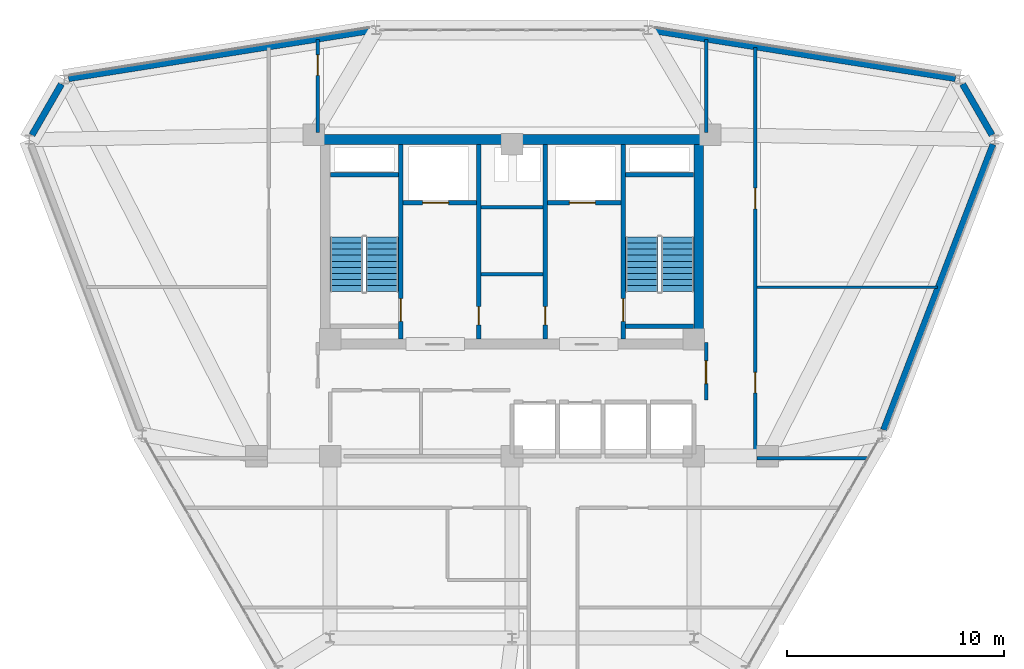
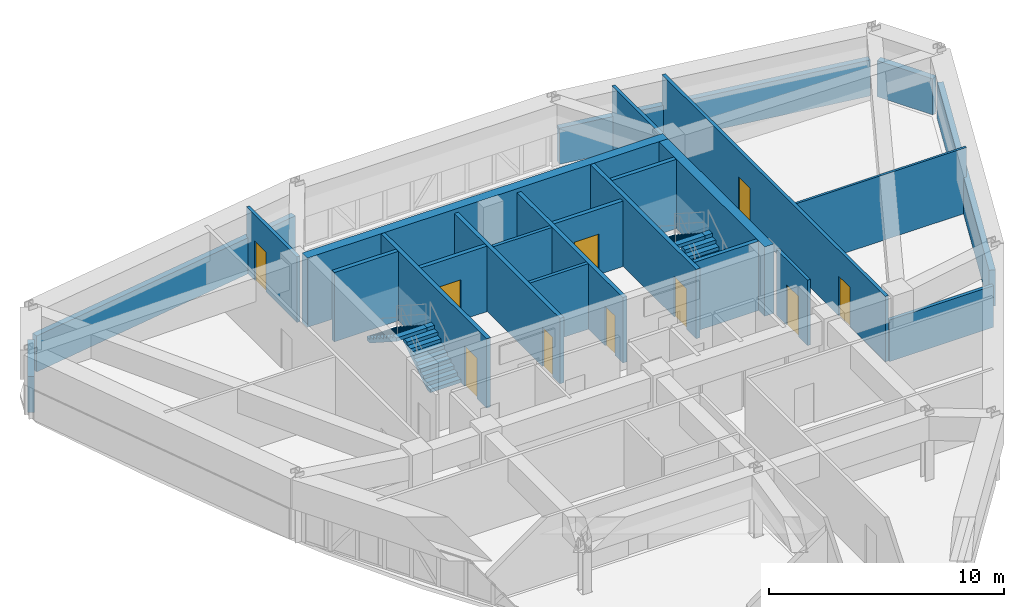
# One storey, part 11 of 13: 24 walls, 10 doors, 4 stair flights, 10 openings, 2 elements without a shape of their own.
"""IFC4 building model written with IfcOpenShell, lengths in metres."""

from ifc_helpers import new_model, si_unit, derived_unit, direction, frame, frame_2d, origin, place, context, subcontext, project, spatial, polyline, rectangle, outline, extrude, material, layer, layer_set, type_object, element, fill, aggregate, save


model = new_model("IFC4")

# Units and contexts
model_context = context("Model", 3, precision=1e-05, world=origin(), true_north=direction((0.0, 1.0)))
body_context = subcontext(model_context, "Body", "Model", "MODEL_VIEW")
ifc_project = project(units=[si_unit("LENGTHUNIT", "METRE"), si_unit("AREAUNIT", "SQUARE_METRE"), si_unit("VOLUMEUNIT", "CUBIC_METRE"), si_unit("PLANEANGLEUNIT", "RADIAN"), si_unit("MASSUNIT", "GRAM", prefix="KILO"), derived_unit("THERMALTRANSMITTANCEUNIT", [(si_unit("POWERUNIT", "WATT"), 1), (si_unit("LENGTHUNIT", "METRE"), -2), (si_unit("THERMODYNAMICTEMPERATUREUNIT", "KELVIN"), -1)])], contexts=[model_context])

# Site, building, storey
site_placement = place(None, origin())
site = spatial("IfcSite", under=ifc_project, at=site_placement, CompositionType="ELEMENT")
building_placement = place(site_placement, origin())
building = spatial("IfcBuilding", under=site, at=building_placement, Name="Korsvarv Bourse and Concert Hall", CompositionType="ELEMENT")
storey_placement = place(building_placement, frame((0.0, 0.0, 179.39990234375)))
storey = spatial("IfcBuildingStorey", under=building, at=storey_placement, Name="L46", CompositionType="ELEMENT", Elevation=179.39990234375)

# Wall, opening, door
ifc_material_1 = material(Name="Concrete C50/60", Category="concrete")
ifc_layer_1 = layer(ifc_material_1, 0.3798828125)
ifc_layer_set_1 = layer_set([ifc_layer_1], Name="Concrete C50/60")
wall_type_1 = type_object("IfcWallType", Name="WL-CORE-380", PredefinedType="SHEAR", material=ifc_layer_set_1)
wall_1_placement = place(storey_placement, frame((30.860107421875, 37.81005859375, 0.0), z_axis=(0.0, 0.0, 1.0), x_axis=(0.0, 1.0, 0.0)))
wall_1 = element("IfcWall", 1, at=wall_1_placement, inside=storey, type_object=wall_type_1, Name="L46 stair shaft structural wall W-L46-ST1-E", PredefinedType="SHEAR", context=body_context, shape_type="SweptSolid", body=[
    extrude(rectangle(XDim=8.97998046875, YDim=0.199951171875, at=frame_2d((4.489990234375, 0.0))), origin(), (0.0, 0.0, 1.0), 3.60009765625),
])
opening_1_placement = place(wall_1_placement, frame((0.820068359375, 0.0, 0.0)))
opening_1 = element("IfcOpeningElement", 2, at=opening_1_placement, cuts=wall_1, Name="Opening D-01", PredefinedType="OPENING", context=body_context, shape_type="SweptSolid", body=[
    extrude(rectangle(XDim=1.050048828125, YDim=2.10009765625, at=frame_2d((0.52490234375, 1.050048828125))), frame((0.0, 0.10986328125, 0.0), z_axis=(0.0, -1.0, 0.0), x_axis=(1.0, 0.0, 0.0)), (0.0, 0.0, 1.0), 0.219970703125),
])
ifc_material_2 = material(Name="Steel S355 fire door", Category="steel")
door_type_1 = type_object("IfcDoorType", Name="DR-FD60", OperationType="NOTDEFINED", PredefinedType="DOOR", material=ifc_material_2)
door_1_placement = place(opening_1_placement, origin())
door_1 = element("IfcDoor", 3, at=door_1_placement, inside=storey, type_object=door_type_1, Name="L46 interior door DR-L46-ST1", OperationType="SINGLE_SWING_RIGHT", OverallHeight=2.10009765625, OverallWidth=1.050048828125, PredefinedType="DOOR", context=body_context, shape_type="SweptSolid", body=[
    extrude(rectangle(XDim=1.050048828125, YDim=2.10009765625, at=frame_2d((0.52490234375, 1.050048828125))), frame((0.0, 0.02490234375, 0.0), z_axis=(0.0, -1.0, 0.0), x_axis=(1.0, 0.0, 0.0)), (0.0, 0.0, 1.0), 0.050048828125),
])
fill(opening_1, door_1)

# Wall
wall_2_placement = place(storey_placement, frame((27.610107421875, 45.39990234375, 0.0), z_axis=(0.0, 0.0, 1.0), x_axis=(1.0, 0.0, 0.0)))
element("IfcWall", 4, at=wall_2_placement, inside=storey, type_object=wall_type_1, Name="L46 stair shaft structural wall W-L46-ST1-N", PredefinedType="SHEAR", context=body_context, shape_type="SweptSolid", body=[
    extrude(rectangle(XDim=3.139892578125, YDim=0.199951171875, at=frame_2d((1.56982421875, 0.0))), origin(), (0.0, 0.0, 1.0), 3.60009765625),
])

# Wall, opening, door
wall_3_placement = place(storey_placement, frame((41.139892578125, 37.81005859375, 0.0), z_axis=(0.0, 0.0, 1.0), x_axis=(0.0, 1.0, 0.0)))
wall_3 = element("IfcWall", 5, at=wall_3_placement, inside=storey, type_object=wall_type_1, Name="L46 stair shaft structural wall W-L46-ST2-W", PredefinedType="SHEAR", context=body_context, shape_type="SweptSolid", body=[
    extrude(rectangle(XDim=8.97998046875, YDim=0.199951171875, at=frame_2d((4.489990234375, 0.0))), origin(), (0.0, 0.0, 1.0), 3.60009765625),
])
opening_2_placement = place(wall_3_placement, frame((0.820068359375, 0.0, 0.0)))
opening_2 = element("IfcOpeningElement", 6, at=opening_2_placement, cuts=wall_3, Name="Opening D-01", PredefinedType="OPENING", context=body_context, shape_type="SweptSolid", body=[
    extrude(rectangle(XDim=1.050048828125, YDim=2.10009765625, at=frame_2d((0.52490234375, 1.050048828125))), frame((0.0, 0.10986328125, 0.0), z_axis=(0.0, -1.0, 0.0), x_axis=(1.0, 0.0, 0.0)), (0.0, 0.0, 1.0), 0.219970703125),
])
door_2_placement = place(opening_2_placement, frame((1.050048828125, 0.0, 0.0), z_axis=(0.0, 0.0, 1.0), x_axis=(-1.0, 0.0, 0.0)))
door_2 = element("IfcDoor", 7, at=door_2_placement, inside=storey, type_object=door_type_1, Name="L46 interior door DR-L46-ST2", OperationType="SINGLE_SWING_LEFT", OverallHeight=2.10009765625, OverallWidth=1.050048828125, PredefinedType="DOOR", context=body_context, shape_type="SweptSolid", body=[
    extrude(rectangle(XDim=1.050048828125, YDim=2.10009765625, at=frame_2d((0.52490234375, 1.050048828125))), frame((0.0, 0.02490234375, 0.0), z_axis=(0.0, -1.0, 0.0), x_axis=(1.0, 0.0, 0.0)), (0.0, 0.0, 1.0), 0.050048828125),
])
fill(opening_2, door_2)

# Walls
for number, where, z_axis, x_axis, name in (
    (8, (41.25, 45.39990234375, 0.0), (0.0, 0.0, 1.0), (1.0, 0.0, 0.0), "L46 stair shaft structural wall W-L46-ST2-N"),
    (9, (41.25, 38.39990234375, 0.0), (0.0, 0.0, 1.0), (1.0, 0.0, 0.0), "L46 stair shaft structural wall W-L46-ST2-S"),
):
    element("IfcWall", number, at=place(storey_placement, frame(where, z_axis=z_axis, x_axis=x_axis)), inside=storey, type_object=wall_type_1, Name=name, PredefinedType="SHEAR", context=body_context, shape_type="SweptSolid", body=[
        extrude(rectangle(XDim=3.139892578125, YDim=0.199951171875, at=frame_2d((1.56982421875, 0.0))), origin(), (0.0, 0.0, 1.0), 3.60009765625),
    ])
ifc_material_3 = material(Name="Concrete C55/67", Category="concrete")
ifc_layer_2 = layer(ifc_material_3, 0.449951171875)
ifc_layer_set_2 = layer_set([ifc_layer_2], Name="Concrete C55/67")
wall_type_2 = type_object("IfcWallType", Name="WL-CORE-450", PredefinedType="SHEAR", material=ifc_layer_set_2)
wall_4_placement = place(storey_placement, frame((27.14990234375, 47.02490234375, 0.0), z_axis=(0.0, 0.0, 1.0), x_axis=(1.0, 0.0, 0.0)))
element("IfcWall", 10, at=wall_4_placement, inside=storey, type_object=wall_type_2, Name="L46 North Core Shear Wall", PredefinedType="SHEAR", context=body_context, shape_type="SweptSolid", body=[
    extrude(rectangle(XDim=17.7001953125, YDim=0.449951171875, at=frame_2d((8.85009765625, 0.0))), origin(), (0.0, 0.0, 1.0), 3.60009765625),
])
wall_5_placement = place(storey_placement, frame((44.625, 37.800048828125, 0.0), z_axis=(0.0, 0.0, 1.0), x_axis=(0.0, 1.0, 0.0)))
element("IfcWall", 11, at=wall_5_placement, inside=storey, type_object=wall_type_2, Name="L46 East Core Shear Wall", PredefinedType="SHEAR", context=body_context, shape_type="SweptSolid", body=[
    extrude(rectangle(XDim=9.0, YDim=0.449951171875, at=frame_2d((4.5, 0.0))), origin(), (0.0, 0.0, 1.0), 3.60009765625),
])
ifc_material_4 = material(Name="Precast concrete C45/55 with terracotta rainscreen", Category="concrete")
ifc_layer_3 = layer(ifc_material_4, 0.300048828125)
ifc_layer_set_3 = layer_set([ifc_layer_3], Name="Precast concrete C45/55 with terracotta rainscreen")
wall_type_3 = type_object("IfcWallType", Name="WL-EXT-TC1", PredefinedType="SOLIDWALL", material=ifc_layer_set_3)
for number, where, z_axis, x_axis, name in (
    (12, (58.167236328125, 47.225830078125, 0.0), (0.0, 0.0, 1.0), (-0.499947493121, 0.866055716523, 0.0), "L46 terracotta exterior wall EW-L46-B01"),
    (13, (15.1943359375, 49.58447265625, 0.0), (0.0, 0.0, 1.0), (-0.499947493121, -0.866055716523, 0.0), "L46 terracotta exterior wall EW-L46-B05"),
):
    element("IfcWall", number, at=place(storey_placement, frame(where, z_axis=z_axis, x_axis=x_axis)), inside=storey, type_object=wall_type_3, Name=name, PredefinedType="SOLIDWALL", context=body_context, shape_type="SweptSolid", body=[
        extrude(rectangle(XDim=2.723388671875, YDim=0.300048828125, at=frame_2d((1.36181640625, 0.0))), origin(), (0.0, 0.0, 1.0), 1.8701171875),
    ])
ifc_material_5 = material(Name="Precast concrete C45/55 with fluted terracotta pier", Category="concrete")
ifc_layer_4 = layer(ifc_material_5, 0.280029296875)
ifc_layer_set_4 = layer_set([ifc_layer_4], Name="Precast concrete C45/55 with fluted terracotta pier")
wall_type_4 = type_object("IfcWallType", Name="WL-EXT-TC2", PredefinedType="SOLIDWALL", material=ifc_layer_set_4)
for number, where, z_axis, x_axis, name in (
    (14, (56.474609375, 49.83056640625, 0.0), (0.0, 0.0, 1.0), (-0.987634086957, 0.156776625426, 0.0), "L46 terracotta exterior wall EW-L46-B02"),
    (15, (29.502685546875, 52.04931640625, 0.0), (0.0, 0.0, 1.0), (-0.987634086957, -0.156776625426, 0.0), "L46 terracotta exterior wall EW-L46-B04"),
):
    element("IfcWall", number, at=place(storey_placement, frame(where, z_axis=z_axis, x_axis=x_axis)), inside=storey, type_object=wall_type_4, Name=name, PredefinedType="SOLIDWALL", context=body_context, shape_type="SweptSolid", body=[
        extrude(rectangle(XDim=14.15234375, YDim=0.280029296875, at=frame_2d((7.076171875, 0.0))), origin(), (0.0, 0.0, 1.0), 1.8701171875),
    ])
wall_6_placement = place(storey_placement, frame((53.154052734375, 33.618408203125, 0.0), z_axis=(0.0, 0.0, 1.0), x_axis=(0.358033263681, 0.933708831541, 0.0)))
element("IfcWall", 16, at=wall_6_placement, inside=storey, type_object=wall_type_4, Name="L46 terracotta exterior wall EW-L46-B12", PredefinedType="SOLIDWALL", context=body_context, shape_type="SweptSolid", body=[
    extrude(rectangle(XDim=14.1171875, YDim=0.280029296875, at=frame_2d((7.05859375, 0.0))), origin(), (0.0, 0.0, 1.0), 1.8701171875),
])

# Wall, opening, door
ifc_material_6 = material(Name="Reinforced concrete blockwork C35/45 fire wall", Category="concrete")
ifc_layer_5 = layer(ifc_material_6, 0.199951171875)
ifc_layer_set_5 = layer_set([ifc_layer_5], Name="Reinforced concrete blockwork C35/45 fire wall")
wall_type_5 = type_object("IfcWallType", Name="WL-INT-EI120", PredefinedType="PARTITIONING", material=ifc_layer_set_5)
wall_7_placement = place(storey_placement, frame((30.969970703125, 44.10009765625, 0.0), z_axis=(0.0, 0.0, 1.0), x_axis=(1.0, 0.0, 0.0)))
wall_7 = element("IfcWall", 17, at=wall_7_placement, inside=storey, type_object=wall_type_5, Name="L46 interior partition wall W-L46-FF1-S", PredefinedType="PARTITIONING", context=body_context, shape_type="SweptSolid", body=[
    extrude(rectangle(XDim=3.380126953125, YDim=0.199951171875, at=frame_2d((1.68994140625, 0.0))), origin(), (0.0, 0.0, 1.0), 3.400146484375),
])
opening_3_placement = place(wall_7_placement, frame((0.89990234375, 0.0, 0.0)))
opening_3 = element("IfcOpeningElement", 18, at=opening_3_placement, cuts=wall_7, Name="Opening LD-1", PredefinedType="OPENING", context=body_context, shape_type="SweptSolid", body=[
    extrude(rectangle(XDim=1.199951171875, YDim=2.10009765625, at=frame_2d((0.60009765625, 1.050048828125))), frame((0.0, 0.10986328125, 0.0), z_axis=(0.0, -1.0, 0.0), x_axis=(1.0, 0.0, 0.0)), (0.0, 0.0, 1.0), 0.219970703125),
])
ifc_material_7 = material(Name="Stainless Steel S355 firefighting lift landing door", Category="steel")
door_type_2 = type_object("IfcDoorType", Name="DR-LIFT-FF", OperationType="DOUBLE_DOOR_SLIDING", PredefinedType="DOOR", material=ifc_material_7)
door_3_placement = place(opening_3_placement, origin())
door_3 = element("IfcDoor", 19, at=door_3_placement, inside=storey, type_object=door_type_2, Name="L46 lift sliding landing door LD-L46-FF1", OperationType="DOUBLE_DOOR_SLIDING", OverallHeight=2.10009765625, OverallWidth=1.199951171875, PredefinedType="DOOR", context=body_context, shape_type="SweptSolid", body=[
    extrude(rectangle(XDim=1.199951171875, YDim=2.10009765625, at=frame_2d((0.60009765625, 1.050048828125))), frame((0.0, 0.02490234375, 0.0), z_axis=(0.0, -1.0, 0.0), x_axis=(1.0, 0.0, 0.0)), (0.0, 0.0, 1.0), 0.050048828125),
])
fill(opening_3, door_3)

wall_8_placement = place(storey_placement, frame((37.64990234375, 44.10009765625, 0.0), z_axis=(0.0, 0.0, 1.0), x_axis=(1.0, 0.0, 0.0)))
wall_8 = element("IfcWall", 20, at=wall_8_placement, inside=storey, type_object=wall_type_5, Name="L46 interior partition wall W-L46-FF2-S", PredefinedType="PARTITIONING", context=body_context, shape_type="SweptSolid", body=[
    extrude(rectangle(XDim=3.380126953125, YDim=0.199951171875, at=frame_2d((1.68994140625, 0.0))), origin(), (0.0, 0.0, 1.0), 3.400146484375),
])
opening_4_placement = place(wall_8_placement, frame((1.0, 0.0, 0.0)))
opening_4 = element("IfcOpeningElement", 21, at=opening_4_placement, cuts=wall_8, Name="Opening LD-1", PredefinedType="OPENING", context=body_context, shape_type="SweptSolid", body=[
    extrude(rectangle(XDim=1.199951171875, YDim=2.10009765625, at=frame_2d((0.60009765625, 1.050048828125))), frame((0.0, 0.10986328125, 0.0), z_axis=(0.0, -1.0, 0.0), x_axis=(1.0, 0.0, 0.0)), (0.0, 0.0, 1.0), 0.219970703125),
])
door_4_placement = place(opening_4_placement, origin())
door_4 = element("IfcDoor", 22, at=door_4_placement, inside=storey, type_object=door_type_2, Name="L46 lift sliding landing door LD-L46-FF2", OperationType="DOUBLE_DOOR_SLIDING", OverallHeight=2.10009765625, OverallWidth=1.199951171875, PredefinedType="DOOR", context=body_context, shape_type="SweptSolid", body=[
    extrude(rectangle(XDim=1.199951171875, YDim=2.10009765625, at=frame_2d((0.60009765625, 1.050048828125))), frame((0.0, 0.02490234375, 0.0), z_axis=(0.0, -1.0, 0.0), x_axis=(1.0, 0.0, 0.0)), (0.0, 0.0, 1.0), 0.050048828125),
])
fill(opening_4, door_4)

wall_9_placement = place(storey_placement, frame((34.4599609375, 37.81005859375, 0.0), z_axis=(0.0, 0.0, 1.0), x_axis=(0.0, 1.0, 0.0)))
wall_9 = element("IfcWall", 23, at=wall_9_placement, inside=storey, type_object=wall_type_5, Name="L46 interior partition wall W-L46-CSB-W", PredefinedType="PARTITIONING", context=body_context, shape_type="SweptSolid", body=[
    extrude(rectangle(XDim=8.97998046875, YDim=0.199951171875, at=frame_2d((4.489990234375, 0.0))), origin(), (0.0, 0.0, 1.0), 3.400146484375),
])
opening_5_placement = place(wall_9_placement, frame((0.64990234375, 0.0, 0.0)))
opening_5 = element("IfcOpeningElement", 24, at=opening_5_placement, cuts=wall_9, Name="Opening D-05", PredefinedType="OPENING", context=body_context, shape_type="SweptSolid", body=[
    extrude(rectangle(XDim=0.85009765625, YDim=2.050048828125, at=frame_2d((0.425048828125, 1.02490234375))), frame((0.0, 0.10986328125, 0.0), z_axis=(0.0, -1.0, 0.0), x_axis=(1.0, 0.0, 0.0)), (0.0, 0.0, 1.0), 0.219970703125),
])
door_type_3 = type_object("IfcDoorType", Name="DR-FD60-850X2050", OperationType="NOTDEFINED", PredefinedType="DOOR", material=ifc_material_2)
door_5_placement = place(opening_5_placement, frame((0.85009765625, 0.0, 0.0), z_axis=(0.0, 0.0, 1.0), x_axis=(-1.0, 0.0, 0.0)))
door_5 = element("IfcDoor", 25, at=door_5_placement, inside=storey, type_object=door_type_3, Name="L46 interior door DR-L46-CSB1", OperationType="SINGLE_SWING_RIGHT", OverallHeight=2.050048828125, OverallWidth=0.85009765625, PredefinedType="DOOR", context=body_context, shape_type="SweptSolid", body=[
    extrude(rectangle(XDim=0.85009765625, YDim=2.050048828125, at=frame_2d((0.425048828125, 1.02490234375))), frame((0.0, 0.02490234375, 0.0), z_axis=(0.0, -1.0, 0.0), x_axis=(1.0, 0.0, 0.0)), (0.0, 0.0, 1.0), 0.050048828125),
])
fill(opening_5, door_5)

wall_10_placement = place(storey_placement, frame((37.5400390625, 37.81005859375, 0.0), z_axis=(0.0, 0.0, 1.0), x_axis=(0.0, 1.0, 0.0)))
wall_10 = element("IfcWall", 26, at=wall_10_placement, inside=storey, type_object=wall_type_5, Name="L46 interior partition wall W-L46-CSB-E", PredefinedType="PARTITIONING", context=body_context, shape_type="SweptSolid", body=[
    extrude(rectangle(XDim=8.97998046875, YDim=0.199951171875, at=frame_2d((4.489990234375, 0.0))), origin(), (0.0, 0.0, 1.0), 3.400146484375),
])
opening_6_placement = place(wall_10_placement, frame((0.64990234375, 0.0, 0.0)))
opening_6 = element("IfcOpeningElement", 27, at=opening_6_placement, cuts=wall_10, Name="Opening D-05", PredefinedType="OPENING", context=body_context, shape_type="SweptSolid", body=[
    extrude(rectangle(XDim=0.85009765625, YDim=2.050048828125, at=frame_2d((0.425048828125, 1.02490234375))), frame((0.0, 0.10986328125, 0.0), z_axis=(0.0, -1.0, 0.0), x_axis=(1.0, 0.0, 0.0)), (0.0, 0.0, 1.0), 0.219970703125),
])
door_6_placement = place(opening_6_placement, origin())
door_6 = element("IfcDoor", 28, at=door_6_placement, inside=storey, type_object=door_type_3, Name="L46 interior door DR-L46-CSB2", OperationType="SINGLE_SWING_LEFT", OverallHeight=2.050048828125, OverallWidth=0.85009765625, PredefinedType="DOOR", context=body_context, shape_type="SweptSolid", body=[
    extrude(rectangle(XDim=0.85009765625, YDim=2.050048828125, at=frame_2d((0.425048828125, 1.02490234375))), frame((0.0, 0.02490234375, 0.0), z_axis=(0.0, -1.0, 0.0), x_axis=(1.0, 0.0, 0.0)), (0.0, 0.0, 1.0), 0.050048828125),
])
fill(opening_6, door_6)

# Walls
ifc_material_8 = material(Name="Double-stud fire-rated acoustic partition", Category="gypsum")
ifc_layer_6 = layer(ifc_material_8, 0.159912109375)
ifc_layer_set_6 = layer_set([ifc_layer_6], Name="Double-stud fire-rated acoustic partition")
wall_type_6 = type_object("IfcWallType", Name="WL-INT-EI60", PredefinedType="PARTITIONING", material=ifc_layer_set_6)
for number, where, z_axis, x_axis, name in (
    (29, (34.570068359375, 40.800048828125, 0.0), (0.0, 0.0, 1.0), (1.0, 0.0, 0.0), "L46 interior partition wall W-L46-K1"),
    (30, (34.570068359375, 43.89990234375, 0.0), (0.0, 0.0, 1.0), (1.0, 0.0, 0.0), "L46 interior partition wall W-L46-K2"),
):
    element("IfcWall", number, at=place(storey_placement, frame(where, z_axis=z_axis, x_axis=x_axis)), inside=storey, type_object=wall_type_6, Name=name, PredefinedType="PARTITIONING", context=body_context, shape_type="SweptSolid", body=[
        extrude(rectangle(XDim=2.85986328125, YDim=0.159912109375, at=frame_2d((1.429931640625, 0.0))), origin(), (0.0, 0.0, 1.0), 3.400146484375),
    ])

# Wall, opening, door
wall_11_placement = place(storey_placement, frame((44.9599609375, 35.0, 0.0), z_axis=(0.0, 0.0, 1.0), x_axis=(0.0, 1.0, 0.0)))
wall_11 = element("IfcWall", 31, at=wall_11_placement, inside=storey, type_object=wall_type_6, Name="L46 interior partition wall W-L46-LOB-E", PredefinedType="PARTITIONING", context=body_context, shape_type="SweptSolid", body=[
    extrude(rectangle(XDim=2.64990234375, YDim=0.159912109375, at=frame_2d((1.324951171875, 0.0))), origin(), (0.0, 0.0, 1.0), 3.400146484375),
])
opening_7_placement = place(wall_11_placement, frame((0.75, 0.0, 0.0)))
opening_7 = element("IfcOpeningElement", 32, at=opening_7_placement, cuts=wall_11, Name="Opening D-01", PredefinedType="OPENING", context=body_context, shape_type="SweptSolid", body=[
    extrude(rectangle(XDim=1.050048828125, YDim=2.10009765625, at=frame_2d((0.52490234375, 1.050048828125))), frame((0.0, 0.08984375, 0.0), z_axis=(0.0, -1.0, 0.0), x_axis=(1.0, 0.0, 0.0)), (0.0, 0.0, 1.0), 0.179931640625),
])
door_7_placement = place(opening_7_placement, origin())
door_7 = element("IfcDoor", 33, at=door_7_placement, inside=storey, type_object=door_type_1, Name="L46 interior door DR-L46-LOBE", OperationType="SINGLE_SWING_LEFT", OverallHeight=2.10009765625, OverallWidth=1.050048828125, PredefinedType="DOOR", context=body_context, shape_type="SweptSolid", body=[
    extrude(rectangle(XDim=1.050048828125, YDim=2.10009765625, at=frame_2d((0.52490234375, 1.050048828125))), frame((0.0, 0.02490234375, 0.0), z_axis=(0.0, -1.0, 0.0), x_axis=(1.0, 0.0, 0.0)), (0.0, 0.0, 1.0), 0.050048828125),
])
fill(opening_7, door_7)

# Wall, openings, doors
wall_12_placement = place(storey_placement, frame((47.22509765625, 32.31005859375, 0.0), z_axis=(0.0, 0.0, 1.0), x_axis=(0.0, 1.0, 0.0)))
wall_12 = element("IfcWall", 34, at=wall_12_placement, inside=storey, type_object=wall_type_6, Name="L46 interior partition wall W-L46-TCOR-01", PredefinedType="PARTITIONING", context=body_context, shape_type="SweptSolid", body=[
    extrude(rectangle(XDim=18.96875, YDim=0.159912109375, at=frame_2d((9.484375, 0.0))), origin(), (0.0, 0.0, 1.0), 3.400146484375),
])
opening_8_placement = place(wall_12_placement, frame((3.008056640625, 0.0, 0.0)))
opening_8 = element("IfcOpeningElement", 35, at=opening_8_placement, cuts=wall_12, Name="Opening D-02", PredefinedType="OPENING", context=body_context, shape_type="SweptSolid", body=[
    extrude(rectangle(XDim=0.949951171875, YDim=2.050048828125, at=frame_2d((0.47509765625, 1.02490234375))), frame((0.0, 0.08984375, 0.0), z_axis=(0.0, -1.0, 0.0), x_axis=(1.0, 0.0, 0.0)), (0.0, 0.0, 1.0), 0.179931640625),
])
opening_9_placement = place(wall_12_placement, frame((11.512939453125, 0.0, 0.0)))
opening_9 = element("IfcOpeningElement", 36, at=opening_9_placement, cuts=wall_12, Name="Opening D-02", PredefinedType="OPENING", context=body_context, shape_type="SweptSolid", body=[
    extrude(rectangle(XDim=0.949951171875, YDim=2.050048828125, at=frame_2d((0.47509765625, 1.02490234375))), frame((0.0, 0.08984375, 0.0), z_axis=(0.0, -1.0, 0.0), x_axis=(1.0, 0.0, 0.0)), (0.0, 0.0, 1.0), 0.179931640625),
])
ifc_material_9 = material(Name="Timber and steel acoustic fire door", Category="wood")
door_type_4 = type_object("IfcDoorType", Name="DR-FD30", OperationType="NOTDEFINED", PredefinedType="DOOR", material=ifc_material_9)
door_8_placement = place(opening_8_placement, origin())
door_8 = element("IfcDoor", 37, at=door_8_placement, inside=storey, type_object=door_type_4, Name="L46 interior door DR-L46-TCOR-AR81", OperationType="SINGLE_SWING_RIGHT", OverallHeight=2.050048828125, OverallWidth=0.949951171875, PredefinedType="DOOR", context=body_context, shape_type="SweptSolid", body=[
    extrude(rectangle(XDim=0.949951171875, YDim=2.050048828125, at=frame_2d((0.47509765625, 1.02490234375))), frame((0.0, 0.02490234375, 0.0), z_axis=(0.0, -1.0, 0.0), x_axis=(1.0, 0.0, 0.0)), (0.0, 0.0, 1.0), 0.050048828125),
])
fill(opening_8, door_8)
door_9_placement = place(opening_9_placement, origin())
door_9 = element("IfcDoor", 38, at=door_9_placement, inside=storey, type_object=door_type_4, Name="L46 interior door DR-L46-TCOR-AR62", OperationType="SINGLE_SWING_LEFT", OverallHeight=2.050048828125, OverallWidth=0.949951171875, PredefinedType="DOOR", context=body_context, shape_type="SweptSolid", body=[
    extrude(rectangle(XDim=0.949951171875, YDim=2.050048828125, at=frame_2d((0.47509765625, 1.02490234375))), frame((0.0, 0.02490234375, 0.0), z_axis=(0.0, -1.0, 0.0), x_axis=(1.0, 0.0, 0.0)), (0.0, 0.0, 1.0), 0.050048828125),
])
fill(opening_9, door_9)

# Wall
wall_13_placement = place(storey_placement, frame((47.306884765625, 32.31494140625, 0.0), z_axis=(0.0, 0.0, 1.0), x_axis=(1.0, 0.0, 0.0)))
element("IfcWall", 39, at=wall_13_placement, inside=storey, type_object=wall_type_6, Name="L46 interior partition wall W-L46-TCOR-07", PredefinedType="PARTITIONING", context=body_context, shape_type="SweptSolid", body=[
    extrude(rectangle(XDim=5.115966796875, YDim=0.159912109375, at=frame_2d((2.55810546875, 0.0))), origin(), (0.0, 0.0, 1.0), 2.16015625),
])

# Wall, opening, door
wall_14_placement = place(storey_placement, frame((27.034912109375, 47.340087890625, 0.0), z_axis=(0.0, 0.0, 1.0), x_axis=(0.0, 1.0, 0.0)))
wall_14 = element("IfcWall", 40, at=wall_14_placement, inside=storey, type_object=wall_type_6, Name="L46 interior partition wall W-L46-TCOR-09", PredefinedType="PARTITIONING", context=body_context, shape_type="SweptSolid", body=[
    extrude(rectangle(XDim=4.297607421875, YDim=0.159912109375, at=frame_2d((2.14892578125, 0.0))), origin(), (0.0, 0.0, 1.0), 3.400146484375),
])
opening_10_placement = place(wall_14_placement, frame((2.640869140625, 0.0, 0.0)))
opening_10 = element("IfcOpeningElement", 41, at=opening_10_placement, cuts=wall_14, Name="Opening D-02", PredefinedType="OPENING", context=body_context, shape_type="SweptSolid", body=[
    extrude(rectangle(XDim=0.949951171875, YDim=2.050048828125, at=frame_2d((0.47509765625, 1.02490234375))), frame((0.0, 0.08984375, 0.0), z_axis=(0.0, -1.0, 0.0), x_axis=(1.0, 0.0, 0.0)), (0.0, 0.0, 1.0), 0.179931640625),
])
door_10_placement = place(opening_10_placement, origin())
door_10 = element("IfcDoor", 42, at=door_10_placement, inside=storey, type_object=door_type_4, Name="L46 interior door DR-L46-TCOR-RM55", OperationType="SINGLE_SWING_RIGHT", OverallHeight=2.050048828125, OverallWidth=0.949951171875, PredefinedType="DOOR", context=body_context, shape_type="SweptSolid", body=[
    extrude(rectangle(XDim=0.949951171875, YDim=2.050048828125, at=frame_2d((0.47509765625, 1.02490234375))), frame((0.0, 0.02490234375, 0.0), z_axis=(0.0, -1.0, 0.0), x_axis=(1.0, 0.0, 0.0)), (0.0, 0.0, 1.0), 0.050048828125),
])
fill(opening_10, door_10)

# Walls
wall_15_placement = place(storey_placement, frame((44.965087890625, 47.340087890625, 0.0), z_axis=(0.0, 0.0, 1.0), x_axis=(0.0, 1.0, 0.0)))
element("IfcWall", 43, at=wall_15_placement, inside=storey, type_object=wall_type_6, Name="L46 interior partition wall W-L46-TCOR-10", PredefinedType="PARTITIONING", context=body_context, shape_type="SweptSolid", body=[
    extrude(rectangle(XDim=4.297607421875, YDim=0.159912109375, at=frame_2d((2.14892578125, 0.0))), origin(), (0.0, 0.0, 1.0), 3.400146484375),
])
ifc_material_10 = material(Name="Demountable acoustic glass and aluminium dealing partition", Category="aluminium")
ifc_layer_7 = layer(ifc_material_10, 0.110107421875)
ifc_layer_set_7 = layer_set([ifc_layer_7], Name="Demountable acoustic glass and aluminium dealing partition")
wall_type_7 = type_object("IfcWallType", Name="WL-INT-MOV", PredefinedType="MOVABLE", material=ifc_layer_set_7)
wall_16_placement = place(storey_placement, frame((47.306884765625, 40.205078125, 0.0), z_axis=(0.0, 0.0, 1.0), x_axis=(1.0, 0.0, 0.0)))
element("IfcWall", 44, at=wall_16_placement, inside=storey, type_object=wall_type_7, Name="L46 interior partition wall W-L46-TCOR-14", PredefinedType="MOVABLE", context=body_context, shape_type="SweptSolid", body=[
    extrude(rectangle(XDim=8.352783203125, YDim=0.110107421875, at=frame_2d((4.17626953125, 0.0))), origin(), (0.0, 0.0, 1.0), 3.400146484375),
])

# Stair, stair flights
ifc_material_11 = material(Name="Precast concrete C45/55", Category="concrete")
stair_type = type_object("IfcStairType", Name="STR-TYPE-04", PredefinedType="HALF_TURN_STAIR", material=ifc_material_11)
stair_1_placement = place(storey_placement, origin())
stair_1 = element("IfcStair", 45, at=stair_1_placement, inside=storey, type_object=stair_type, Name="L46 Tower West Exit Stair ST-T1", PredefinedType="HALF_TURN_STAIR")
stair_flight_type = type_object("IfcStairFlightType", Name="FLT-TYPE-04", PredefinedType="STRAIGHT", material=ifc_material_11)
stair_flight_1_placement = place(storey_placement, frame((30.010009765625, 40.0, 0.0), z_axis=(0.0, 0.0, 1.0), x_axis=(0.0, 1.0, 0.0)))
stair_flight_1 = element("IfcStairFlight", 46, at=stair_flight_1_placement, type_object=stair_flight_type, Name="ST-T1 flight 1", NumberOfRisers=10, NumberOfTreads=9, PredefinedType="STRAIGHT", RiserHeight=0.18, TreadLength=0.28, context=body_context, shape_type="SweptSolid", body=[
    extrude(outline(polyline([(0.0, 0.0), (0.0, 0.179931640625), (0.280029296875, 0.179931640625), (0.280029296875, 0.360107421875), (0.56005859375, 0.360107421875), (0.56005859375, 0.5400390625), (0.840087890625, 0.5400390625), (0.840087890625, 0.719970703125), (1.1201171875, 0.719970703125), (1.1201171875, 0.89990234375), (1.39990234375, 0.89990234375), (1.39990234375, 1.080078125), (1.679931640625, 1.080078125), (1.679931640625, 1.260009765625), (1.9599609375, 1.260009765625), (1.9599609375, 1.43994140625), (2.239990234375, 1.43994140625), (2.239990234375, 1.6201171875), (2.52001953125, 1.6201171875), (2.52001953125, 1.800048828125), (2.52001953125, 1.44189453125), (0.277099609375, 0.0), (0.0, 0.0)])), frame((0.0, 0.75, 0.0), z_axis=(0.0, -1.0, 0.0), x_axis=(1.0, 0.0, 0.0)), (0.0, 0.0, 1.0), 1.5),
])
stair_flight_2_placement = place(storey_placement, frame((28.35009765625, 42.52001953125, 1.800048828125), z_axis=(0.0, 0.0, 1.0), x_axis=(0.0, -1.0, 0.0)))
stair_flight_2 = element("IfcStairFlight", 47, at=stair_flight_2_placement, type_object=stair_flight_type, Name="ST-T1 flight 2", NumberOfRisers=10, NumberOfTreads=9, PredefinedType="STRAIGHT", RiserHeight=0.18, TreadLength=0.28, context=body_context, shape_type="SweptSolid", body=[
    extrude(outline(polyline([(0.0, 0.0), (0.0, 0.179931640625), (0.280029296875, 0.179931640625), (0.280029296875, 0.360107421875), (0.56005859375, 0.360107421875), (0.56005859375, 0.5400390625), (0.840087890625, 0.5400390625), (0.840087890625, 0.719970703125), (1.1201171875, 0.719970703125), (1.1201171875, 0.89990234375), (1.39990234375, 0.89990234375), (1.39990234375, 1.080078125), (1.679931640625, 1.080078125), (1.679931640625, 1.260009765625), (1.9599609375, 1.260009765625), (1.9599609375, 1.43994140625), (2.239990234375, 1.43994140625), (2.239990234375, 1.6201171875), (2.52001953125, 1.6201171875), (2.52001953125, 1.800048828125), (2.52001953125, 1.44189453125), (0.277099609375, 0.0), (0.0, 0.0)])), frame((0.0, 0.75, 0.0), z_axis=(0.0, -1.0, 0.0), x_axis=(1.0, 0.0, 0.0)), (0.0, 0.0, 1.0), 1.5),
])
aggregate(stair_1, [stair_flight_1, stair_flight_2])

stair_2_placement = place(storey_placement, origin())
stair_2 = element("IfcStair", 48, at=stair_2_placement, inside=storey, type_object=stair_type, Name="L46 Tower East Exit Stair ST-T2", PredefinedType="HALF_TURN_STAIR")
stair_flight_3_placement = place(storey_placement, frame((43.64990234375, 40.0, 0.0), z_axis=(0.0, 0.0, 1.0), x_axis=(0.0, 1.0, 0.0)))
stair_flight_3 = element("IfcStairFlight", 49, at=stair_flight_3_placement, type_object=stair_flight_type, Name="ST-T2 flight 1", NumberOfRisers=10, NumberOfTreads=9, PredefinedType="STRAIGHT", RiserHeight=0.18, TreadLength=0.28, context=body_context, shape_type="SweptSolid", body=[
    extrude(outline(polyline([(0.0, 0.0), (0.0, 0.179931640625), (0.280029296875, 0.179931640625), (0.280029296875, 0.360107421875), (0.56005859375, 0.360107421875), (0.56005859375, 0.5400390625), (0.840087890625, 0.5400390625), (0.840087890625, 0.719970703125), (1.1201171875, 0.719970703125), (1.1201171875, 0.89990234375), (1.39990234375, 0.89990234375), (1.39990234375, 1.080078125), (1.679931640625, 1.080078125), (1.679931640625, 1.260009765625), (1.9599609375, 1.260009765625), (1.9599609375, 1.43994140625), (2.239990234375, 1.43994140625), (2.239990234375, 1.6201171875), (2.52001953125, 1.6201171875), (2.52001953125, 1.800048828125), (2.52001953125, 1.44189453125), (0.277099609375, 0.0), (0.0, 0.0)])), frame((0.0, 0.75, 0.0), z_axis=(0.0, -1.0, 0.0), x_axis=(1.0, 0.0, 0.0)), (0.0, 0.0, 1.0), 1.5),
])
stair_flight_4_placement = place(storey_placement, frame((41.989990234375, 42.52001953125, 1.800048828125), z_axis=(0.0, 0.0, 1.0), x_axis=(0.0, -1.0, 0.0)))
stair_flight_4 = element("IfcStairFlight", 50, at=stair_flight_4_placement, type_object=stair_flight_type, Name="ST-T2 flight 2", NumberOfRisers=10, NumberOfTreads=9, PredefinedType="STRAIGHT", RiserHeight=0.18, TreadLength=0.28, context=body_context, shape_type="SweptSolid", body=[
    extrude(outline(polyline([(0.0, 0.0), (0.0, 0.179931640625), (0.280029296875, 0.179931640625), (0.280029296875, 0.360107421875), (0.56005859375, 0.360107421875), (0.56005859375, 0.5400390625), (0.840087890625, 0.5400390625), (0.840087890625, 0.719970703125), (1.1201171875, 0.719970703125), (1.1201171875, 0.89990234375), (1.39990234375, 0.89990234375), (1.39990234375, 1.080078125), (1.679931640625, 1.080078125), (1.679931640625, 1.260009765625), (1.9599609375, 1.260009765625), (1.9599609375, 1.43994140625), (2.239990234375, 1.43994140625), (2.239990234375, 1.6201171875), (2.52001953125, 1.6201171875), (2.52001953125, 1.800048828125), (2.52001953125, 1.44189453125), (0.277099609375, 0.0), (0.0, 0.0)])), frame((0.0, 0.75, 0.0), z_axis=(0.0, -1.0, 0.0), x_axis=(1.0, 0.0, 0.0)), (0.0, 0.0, 1.0), 1.5),
])
aggregate(stair_2, [stair_flight_3, stair_flight_4])

save(model, "model.ifc")
